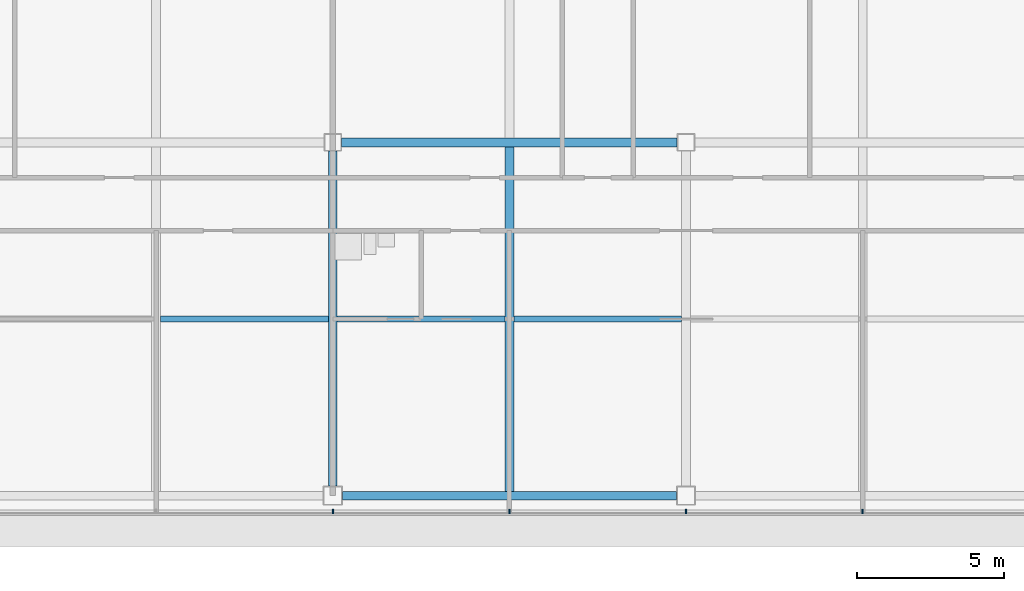
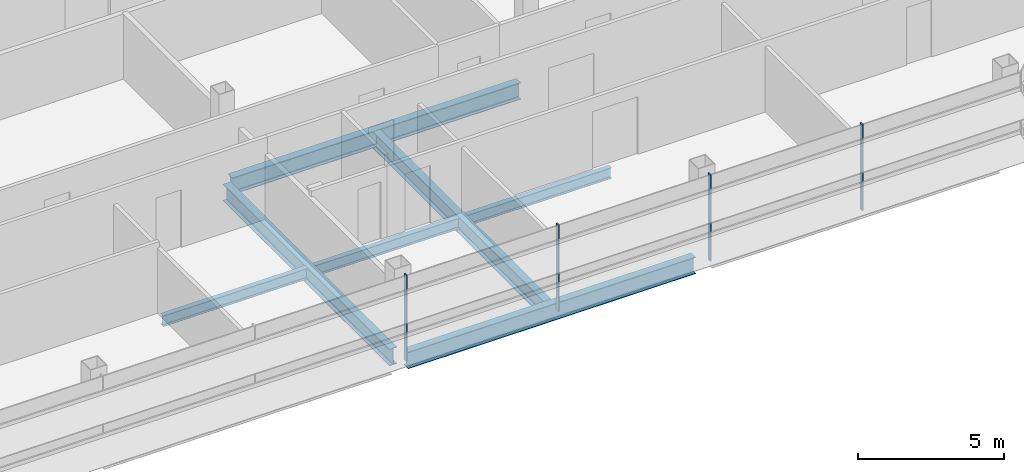
# One storey, part 8 of 26: 7 beams, 4 members, 1 element without a shape of its own.
"""IFC4 building model written with IfcOpenShell, lengths in metres."""

from ifc_helpers import new_model, si_unit, direction, frame, origin, origin_2d, place, context, subcontext, project, spatial, rectangle, i_section, extrude, material, material_profile, profile_set, type_object, element, aggregate, save


model = new_model("IFC4")

# Units and contexts
model_context = context("Model", 3, precision=1e-05, world=origin(), true_north=direction((0.0, 1.0)))
body_context = subcontext(model_context, "Body", "Model", "MODEL_VIEW")
ifc_project = project(units=[si_unit("LENGTHUNIT", "METRE"), si_unit("AREAUNIT", "SQUARE_METRE"), si_unit("VOLUMEUNIT", "CUBIC_METRE"), si_unit("PLANEANGLEUNIT", "RADIAN"), si_unit("MASSUNIT", "GRAM", prefix="KILO")], contexts=[model_context])

# Site, building, storey
site_placement = place(None, origin())
site = spatial("IfcSite", under=ifc_project, at=site_placement, CompositionType="ELEMENT")
building_placement = place(site_placement, origin())
building = spatial("IfcBuilding", under=site, at=building_placement, Name="Sorahane Residences", CompositionType="ELEMENT")
storey_placement = place(building_placement, frame((0.0, 0.0, 219.0)))
storey = spatial("IfcBuildingStorey", under=building, at=storey_placement, Name="L51", CompositionType="ELEMENT", Elevation=219.0)

# Curtain wall, members
ifc_material_1 = material(Name="Dark low-e glass and black anodised aluminium", Category="aluminium")
curtain_wall_type = type_object("IfcCurtainWallType", Name="Curtain wall CW-1 Typical unitised wall", PredefinedType="NOTDEFINED", material=ifc_material_1)
curtain_wall_placement = place(storey_placement, origin())
curtain_wall = element("IfcCurtainWall", 1, at=curtain_wall_placement, inside=storey, type_object=curtain_wall_type, Name="CW-1 curtain wall L51 S1", PredefinedType="NOTDEFINED")
ifc_material_2 = material(Name="Black anodised aluminium", Category="aluminium")
ifc_material_profile_1 = material_profile(ifc_material_2, rectangle(XDim=0.159912109375, YDim=0.050048828125, at=origin_2d()), Name="Curtain wall mullion CW-1 black anodised aluminium 50x160")
ifc_profile_set_1 = profile_set([ifc_material_profile_1], Name="Black anodised aluminium")
member_type = type_object("IfcMemberType", Name="Curtain wall mullion CW-1 black anodised aluminium 50x160", PredefinedType="MULLION", material=ifc_profile_set_1)
member_1_placement = place(storey_placement, frame((24.0, -0.5400390625, -0.179931640625), z_axis=(0.0, 0.0, 1.0), x_axis=(0.0, -1.0, 0.0)))
member_1 = element("IfcMember", 2, at=member_1_placement, type_object=member_type, Name="CW-1 mullion L51 S1.6", PredefinedType="MULLION", context=body_context, shape_type="SweptSolid", body=[
    extrude(rectangle(XDim=0.159912109375, YDim=0.050048828125, at=origin_2d()), origin(), (0.0, 0.0, 1.0), 3.599853515625),
])
member_2_placement = place(storey_placement, frame((30.0, -0.5400390625, -0.179931640625), z_axis=(0.0, 0.0, 1.0), x_axis=(0.0, -1.0, 0.0)))
member_2 = element("IfcMember", 3, at=member_2_placement, type_object=member_type, Name="CW-1 mullion L51 S1.7", PredefinedType="MULLION", context=body_context, shape_type="SweptSolid", body=[
    extrude(rectangle(XDim=0.159912109375, YDim=0.050048828125, at=origin_2d()), origin(), (0.0, 0.0, 1.0), 3.599853515625),
])
member_3_placement = place(storey_placement, frame((36.0, -0.5400390625, -0.179931640625), z_axis=(0.0, 0.0, 1.0), x_axis=(0.0, -1.0, 0.0)))
member_3 = element("IfcMember", 4, at=member_3_placement, type_object=member_type, Name="CW-1 mullion L51 S1.8", PredefinedType="MULLION", context=body_context, shape_type="SweptSolid", body=[
    extrude(rectangle(XDim=0.159912109375, YDim=0.050048828125, at=origin_2d()), origin(), (0.0, 0.0, 1.0), 3.599853515625),
])
member_4_placement = place(storey_placement, frame((42.0, -0.5400390625, -0.179931640625), z_axis=(0.0, 0.0, 1.0), x_axis=(0.0, -1.0, 0.0)))
member_4 = element("IfcMember", 5, at=member_4_placement, type_object=member_type, Name="CW-1 mullion L51 S1.9", PredefinedType="MULLION", context=body_context, shape_type="SweptSolid", body=[
    extrude(rectangle(XDim=0.159912109375, YDim=0.050048828125, at=origin_2d()), origin(), (0.0, 0.0, 1.0), 3.599853515625),
])
aggregate(curtain_wall, [member_1, member_2, member_3, member_4])

# Beams
ifc_material_3 = material(Name="Steel Q355B", Category="steel")
ifc_material_profile_2 = material_profile(ifc_material_3, i_section(OverallWidth=0.199951171875, OverallDepth=0.449951171875, WebThickness=0.009033203125, FlangeThickness=0.013916015625, FilletRadius=0.02001953125, at=origin_2d()), Name="HN 450x200x9x14")
ifc_profile_set_2 = profile_set([ifc_material_profile_2], Name="Steel Q355B")
beam_type_1 = type_object("IfcBeamType", Name="Steel floor beam HN 450x200x9x14 Q355B", PredefinedType="BEAM", material=ifc_profile_set_2)
for number, where, z_axis, x_axis, name in (
    (6, (18.14990234375, 6.0, -0.405029296875), (1.0, 0.0, 0.0), (0.0, 1.0, 0.0), "Beam L51 072"),
    (7, (24.14990234375, 6.0, -0.405029296875), (1.0, 0.0, 0.0), (0.0, 1.0, 0.0), "Beam L51 073"),
    (8, (30.14990234375, 6.0, -0.405029296875), (1.0, 0.0, 0.0), (0.0, 1.0, 0.0), "Beam L51 074"),
):
    element("IfcBeam", number, at=place(storey_placement, frame(where, z_axis=z_axis, x_axis=x_axis)), inside=storey, type_object=beam_type_1, Name=name, PredefinedType="BEAM", context=body_context, shape_type="SweptSolid", body=[
        extrude(i_section(OverallWidth=0.199951171875, OverallDepth=0.449951171875, WebThickness=0.009033203125, FlangeThickness=0.013916015625, FilletRadius=0.02001953125, at=origin_2d()), origin(), (0.0, 0.0, 1.0), 5.7001953125),
    ])
ifc_material_4 = material(Name="Steel Q355B", Category="steel")
ifc_material_profile_3 = material_profile(ifc_material_4, i_section(OverallWidth=0.300048828125, OverallDepth=0.699951171875, WebThickness=0.012939453125, FlangeThickness=0.02392578125, FilletRadius=0.028076171875, at=origin_2d()), Name="HN 700x300x13x24")
ifc_profile_set_3 = profile_set([ifc_material_profile_3], Name="Steel Q355B")
beam_type_2 = type_object("IfcBeamType", Name="Steel floor beam HN 700x300x13x24 Q355B", PredefinedType="BEAM", material=ifc_profile_set_3)
beam_1_placement = place(storey_placement, frame((24.324951171875, 0.0, -0.530029296875), z_axis=(1.0, 0.0, 0.0), x_axis=(0.0, 1.0, 0.0)))
element("IfcBeam", 9, at=beam_1_placement, inside=storey, type_object=beam_type_2, Name="Beam L51 003", PredefinedType="BEAM", context=body_context, shape_type="SweptSolid", body=[
    extrude(i_section(OverallWidth=0.300048828125, OverallDepth=0.699951171875, WebThickness=0.012939453125, FlangeThickness=0.02392578125, FilletRadius=0.028076171875, at=origin_2d()), origin(), (0.0, 0.0, 1.0), 11.35009765625),
])
beam_2_placement = place(storey_placement, frame((24.300048828125, 12.0, -0.530029296875), z_axis=(1.0, 0.0, 0.0), x_axis=(0.0, 1.0, 0.0)))
element("IfcBeam", 10, at=beam_2_placement, inside=storey, type_object=beam_type_2, Name="Beam L51 008", PredefinedType="BEAM", context=body_context, shape_type="SweptSolid", body=[
    extrude(i_section(OverallWidth=0.300048828125, OverallDepth=0.699951171875, WebThickness=0.012939453125, FlangeThickness=0.02392578125, FilletRadius=0.028076171875, at=origin_2d()), origin(), (0.0, 0.0, 1.0), 11.39990234375),
])
beam_3_placement = place(storey_placement, frame((24.0, 0.324951171875, -0.530029296875), z_axis=(0.0, 1.0, 0.0), x_axis=(-1.0, 0.0, 0.0)))
element("IfcBeam", 11, at=beam_3_placement, inside=storey, type_object=beam_type_2, Name="Beam L51 042", PredefinedType="BEAM", context=body_context, shape_type="SweptSolid", body=[
    extrude(i_section(OverallWidth=0.300048828125, OverallDepth=0.699951171875, WebThickness=0.012939453125, FlangeThickness=0.02392578125, FilletRadius=0.028076171875, at=origin_2d()), origin(), (0.0, 0.0, 1.0), 11.375),
])
beam_4_placement = place(storey_placement, frame((30.0, 0.14990234375, -0.530029296875), z_axis=(0.0, 1.0, 0.0), x_axis=(-1.0, 0.0, 0.0)))
element("IfcBeam", 12, at=beam_4_placement, inside=storey, type_object=beam_type_2, Name="Beam L51 044", PredefinedType="BEAM", context=body_context, shape_type="SweptSolid", body=[
    extrude(i_section(OverallWidth=0.300048828125, OverallDepth=0.699951171875, WebThickness=0.012939453125, FlangeThickness=0.02392578125, FilletRadius=0.028076171875, at=origin_2d()), origin(), (0.0, 0.0, 1.0), 11.7001953125),
])

save(model, "model.ifc")
